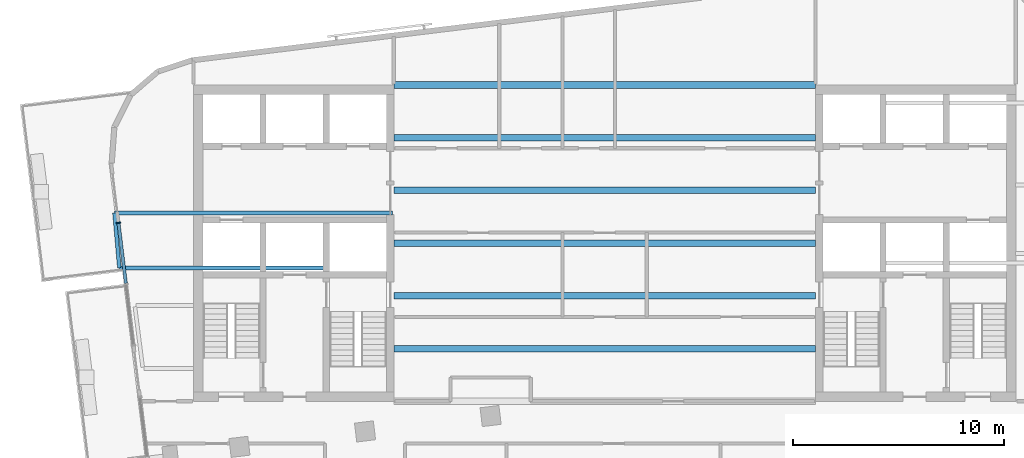
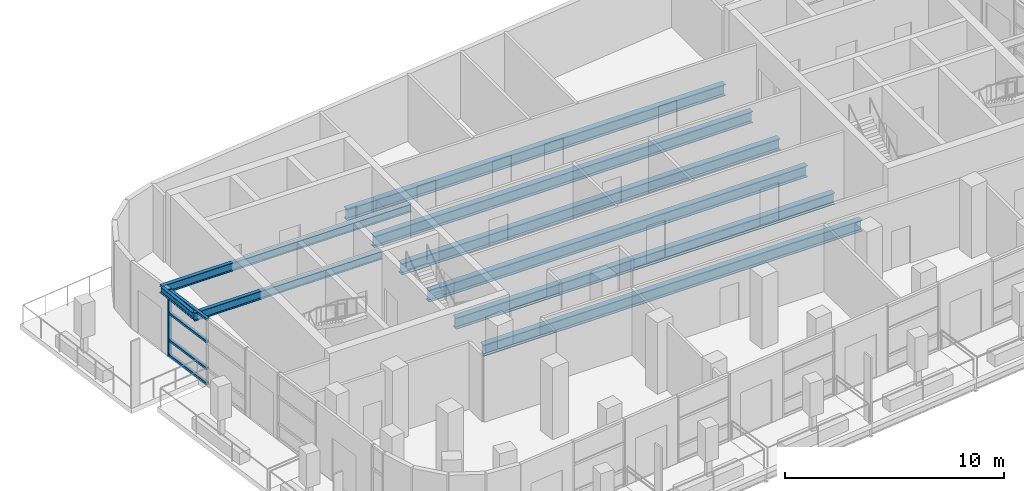
# One storey, part 3 of 14: 9 beams, 5 members, 1 element without a shape of its own.
"""IFC4 building model written with IfcOpenShell, lengths in metres."""

from ifc_helpers import new_model, si_unit, direction, frame, origin, origin_2d, place, context, subcontext, project, spatial, rectangle, i_section, extrude, material, layer, layer_set, material_profile, profile_set, type_object, element, aggregate, save


model = new_model("IFC4")

# Units and contexts
model_context = context("Model", 3, precision=1e-05, world=origin(), true_north=direction((0.0, 1.0)))
body_context = subcontext(model_context, "Body", "Model", "MODEL_VIEW")
ifc_project = project(units=[si_unit("LENGTHUNIT", "METRE"), si_unit("AREAUNIT", "SQUARE_METRE"), si_unit("VOLUMEUNIT", "CUBIC_METRE"), si_unit("PLANEANGLEUNIT", "RADIAN"), si_unit("MASSUNIT", "GRAM", prefix="KILO")], contexts=[model_context])

# Site, building, storey
site_placement = place(None, origin())
site = spatial("IfcSite", under=ifc_project, at=site_placement, CompositionType="ELEMENT")
building_placement = place(site_placement, origin())
building = spatial("IfcBuilding", under=site, at=building_placement, Name="Torana Hotel and Residences", CompositionType="ELEMENT")
storey_placement = place(building_placement, frame((0.0, 0.0, 318.60009765625)))
storey = spatial("IfcBuildingStorey", under=building, at=storey_placement, Name="L84", CompositionType="ELEMENT", Elevation=318.60009765625)

# Beams
ifc_material_1 = material(Name="Steel S355", Category="steel")
ifc_material_profile_1 = material_profile(ifc_material_1, i_section(OverallWidth=0.19287109375, OverallDepth=0.46728515625, WebThickness=0.011474609375, FlangeThickness=0.01953125, FilletRadius=0.01025390625, at=origin_2d()), Name="457x191x98 UB")
ifc_profile_set_1 = profile_set([ifc_material_profile_1], Name="Steel S355")
beam_type_1 = type_object("IfcBeamType", Name="BALCONY CANTILEVER BEAM 457x191x98 UB", PredefinedType="BEAM", material=ifc_profile_set_1)
beam_1_placement = place(storey_placement, frame((-23.013916015625, -8.669921875, 3.486328125), z_axis=(1.0, 0.0, 0.0), x_axis=(0.0, 1.0, 0.0)))
element("IfcBeam", 1, at=beam_1_placement, inside=storey, type_object=beam_type_1, Name="Balcony cantilever beam", PredefinedType="BEAM", context=body_context, shape_type="SweptSolid", body=[
    extrude(i_section(OverallWidth=0.19287109375, OverallDepth=0.46728515625, WebThickness=0.011474609375, FlangeThickness=0.01953125, FilletRadius=0.01025390625, at=origin_2d()), origin(), (0.0, 0.0, 1.0), 9.913818359375),
])
beam_2_placement = place(storey_placement, frame((-23.2451171875, -6.070068359375, 3.486328125), z_axis=(1.0, 0.0, 0.0), x_axis=(0.0, 1.0, 0.0)))
element("IfcBeam", 2, at=beam_2_placement, inside=storey, type_object=beam_type_1, Name="Balcony cantilever beam", PredefinedType="BEAM", context=body_context, shape_type="SweptSolid", body=[
    extrude(i_section(OverallWidth=0.19287109375, OverallDepth=0.46728515625, WebThickness=0.011474609375, FlangeThickness=0.01953125, FilletRadius=0.01025390625, at=origin_2d()), origin(), (0.0, 0.0, 1.0), 13.195068359375),
])
ifc_material_2 = material(Name="Steel S355", Category="steel")
ifc_material_profile_2 = material_profile(ifc_material_2, i_section(OverallWidth=0.173095703125, OverallDepth=0.36328125, WebThickness=0.009033203125, FlangeThickness=0.015625, FilletRadius=0.01025390625, at=origin_2d()), Name="356x171x67 UB")
ifc_profile_set_2 = profile_set([ifc_material_profile_2], Name="Steel S355")
beam_type_2 = type_object("IfcBeamType", Name="BALCONY TIP BEAM 356x171x67 UB", PredefinedType="BEAM", material=ifc_profile_set_2)
beam_3_placement = place(storey_placement, frame((-23.013916015625, -8.669921875, 3.5380859375), z_axis=(-0.088578973765, 0.99606915694, 0.0), x_axis=(-0.99606915694, -0.088578973765, 0.0)))
element("IfcBeam", 3, at=beam_3_placement, inside=storey, type_object=beam_type_2, Name="Balcony tip beam", PredefinedType="BEAM", context=body_context, shape_type="SweptSolid", body=[
    extrude(i_section(OverallWidth=0.173095703125, OverallDepth=0.36328125, WebThickness=0.009033203125, FlangeThickness=0.015625, FilletRadius=0.01025390625, at=origin_2d()), origin(), (0.0, 0.0, 1.0), 2.610107421875),
])

# Curtain wall, members
ifc_material_3 = material(Name="Dark anodised aluminium", Category="aluminium")
ifc_layer = layer(ifc_material_3, 0.199951171875)
ifc_layer_set = layer_set([ifc_layer], Name="CW3 SKY CLUB UNITISED CURTAIN WALL")
curtain_wall_type = type_object("IfcCurtainWallType", Name="CW3 SKY CLUB UNITISED CURTAIN WALL", PredefinedType="NOTDEFINED", material=ifc_layer_set)
curtain_wall_placement = place(storey_placement, origin())
curtain_wall = element("IfcCurtainWall", 4, at=curtain_wall_placement, inside=storey, type_object=curtain_wall_type, Name="Curtain wall CW3 L84 e0.9-2", PredefinedType="NOTDEFINED")
ifc_material_4 = material(Name="Dark anodised aluminium", Category="aluminium")
ifc_material_profile_3 = material_profile(ifc_material_4, rectangle(XDim=0.199951171875, YDim=0.070068359375, at=origin_2d()), Name="CW3 MULLION 70x200")
ifc_profile_set_3 = profile_set([ifc_material_profile_3], Name="Dark anodised aluminium")
member_type_1 = type_object("IfcMemberType", Name="CW3 MULLION 70x200", PredefinedType="MULLION", material=ifc_profile_set_3)
member_1_placement = place(storey_placement, frame((-23.054931640625, -6.53515625, 0.0), z_axis=(0.0, 0.0, 1.0), x_axis=(0.992545392029, 0.121875529794, 0.0)))
member_1 = element("IfcMember", 5, at=member_1_placement, type_object=member_type_1, Name="CW3 mullion 1", PredefinedType="MULLION", context=body_context, shape_type="SweptSolid", body=[
    extrude(rectangle(XDim=0.199951171875, YDim=0.070068359375, at=origin_2d()), origin(), (0.0, 0.0, 1.0), 3.719970703125),
])
ifc_material_5 = material(Name="Dark anodised aluminium", Category="aluminium")
ifc_material_profile_4 = material_profile(ifc_material_5, rectangle(XDim=0.14990234375, YDim=0.1201171875, at=origin_2d()), Name="CW3 TRANSOM 150x120")
ifc_profile_set_4 = profile_set([ifc_material_profile_4], Name="Dark anodised aluminium")
member_type_2 = type_object("IfcMemberType", Name="CW3 TRANSOM 150x120", PredefinedType="USERDEFINED", material=ifc_profile_set_4)
member_2_placement = place(storey_placement, frame((-23.05078125, -6.56982421875, 0.059814453125), z_axis=(0.121907565708, -0.992541457786, 0.0), x_axis=(0.992541457786, 0.121907565708, 0.0)))
member_2 = element("IfcMember", 6, at=member_2_placement, type_object=member_type_2, Name="CW3 transom 1.1", ObjectType="TRANSOM", PredefinedType="USERDEFINED", context=body_context, shape_type="SweptSolid", body=[
    extrude(rectangle(XDim=0.14990234375, YDim=0.1201171875, at=origin_2d()), origin(), (0.0, 0.0, 1.0), 2.853759765625),
])
member_3_placement = place(storey_placement, frame((-23.05078125, -6.56982421875, 0.89990234375), z_axis=(0.121907565708, -0.992541457786, 0.0), x_axis=(0.992541457786, 0.121907565708, 0.0)))
member_3 = element("IfcMember", 7, at=member_3_placement, type_object=member_type_2, Name="CW3 transom 1.2", ObjectType="TRANSOM", PredefinedType="USERDEFINED", context=body_context, shape_type="SweptSolid", body=[
    extrude(rectangle(XDim=0.14990234375, YDim=0.1201171875, at=origin_2d()), origin(), (0.0, 0.0, 1.0), 2.853759765625),
])
member_4_placement = place(storey_placement, frame((-23.05078125, -6.56982421875, 2.39990234375), z_axis=(0.121907565708, -0.992541457786, 0.0), x_axis=(0.992541457786, 0.121907565708, 0.0)))
member_4 = element("IfcMember", 8, at=member_4_placement, type_object=member_type_2, Name="CW3 transom 1.3", ObjectType="TRANSOM", PredefinedType="USERDEFINED", context=body_context, shape_type="SweptSolid", body=[
    extrude(rectangle(XDim=0.14990234375, YDim=0.1201171875, at=origin_2d()), origin(), (0.0, 0.0, 1.0), 2.853759765625),
])
member_5_placement = place(storey_placement, frame((-23.05078125, -6.56982421875, 3.659912109375), z_axis=(0.121907565708, -0.992541457786, 0.0), x_axis=(0.992541457786, 0.121907565708, 0.0)))
member_5 = element("IfcMember", 9, at=member_5_placement, type_object=member_type_2, Name="CW3 transom 1.4", ObjectType="TRANSOM", PredefinedType="USERDEFINED", context=body_context, shape_type="SweptSolid", body=[
    extrude(rectangle(XDim=0.14990234375, YDim=0.1201171875, at=origin_2d()), origin(), (0.0, 0.0, 1.0), 2.853759765625),
])
aggregate(curtain_wall, [member_1, member_2, member_3, member_4, member_5])

# Beams
ifc_material_6 = material(Name="Steel S355", Category="steel")
ifc_material_profile_5 = material_profile(ifc_material_6, i_section(OverallWidth=0.311279296875, OverallDepth=0.6357421875, WebThickness=0.018310546875, FlangeThickness=0.031494140625, FilletRadius=0.0166015625, at=origin_2d()), Name="610x305x238 UB")
ifc_profile_set_5 = profile_set([ifc_material_profile_5], Name="Steel S355")
beam_type_3 = type_object("IfcBeamType", Name="STEEL GIRDER 610x305x238 UB", PredefinedType="BEAM", material=ifc_profile_set_5)
for number, where, z_axis, x_axis, name in (
    (10, (-10.0, -12.5, -0.597900390625), (1.0, 0.0, 0.0), (0.0, 1.0, 0.0), "Floor girder"),
    (11, (-10.0, -10.0, -0.597900390625), (1.0, 0.0, 0.0), (0.0, 1.0, 0.0), "Floor girder"),
    (12, (-10.0, -7.5, -0.597900390625), (1.0, 0.0, 0.0), (0.0, 1.0, 0.0), "Floor girder"),
    (13, (-10.0, -5.0, -0.597900390625), (1.0, 0.0, 0.0), (0.0, 1.0, 0.0), "Floor girder"),
    (14, (-10.0, -2.5, -0.597900390625), (1.0, 0.0, 0.0), (0.0, 1.0, 0.0), "Floor girder"),
    (15, (-10.0, 0.0, -0.597900390625), (1.0, 0.0, 0.0), (0.0, 1.0, 0.0), "Floor girder"),
):
    element("IfcBeam", number, at=place(storey_placement, frame(where, z_axis=z_axis, x_axis=x_axis)), inside=storey, type_object=beam_type_3, Name=name, PredefinedType="BEAM", context=body_context, shape_type="SweptSolid", body=[
        extrude(i_section(OverallWidth=0.311279296875, OverallDepth=0.6357421875, WebThickness=0.018310546875, FlangeThickness=0.031494140625, FilletRadius=0.0166015625, at=origin_2d()), origin(), (0.0, 0.0, 1.0), 20.0),
    ])

save(model, "model.ifc")
